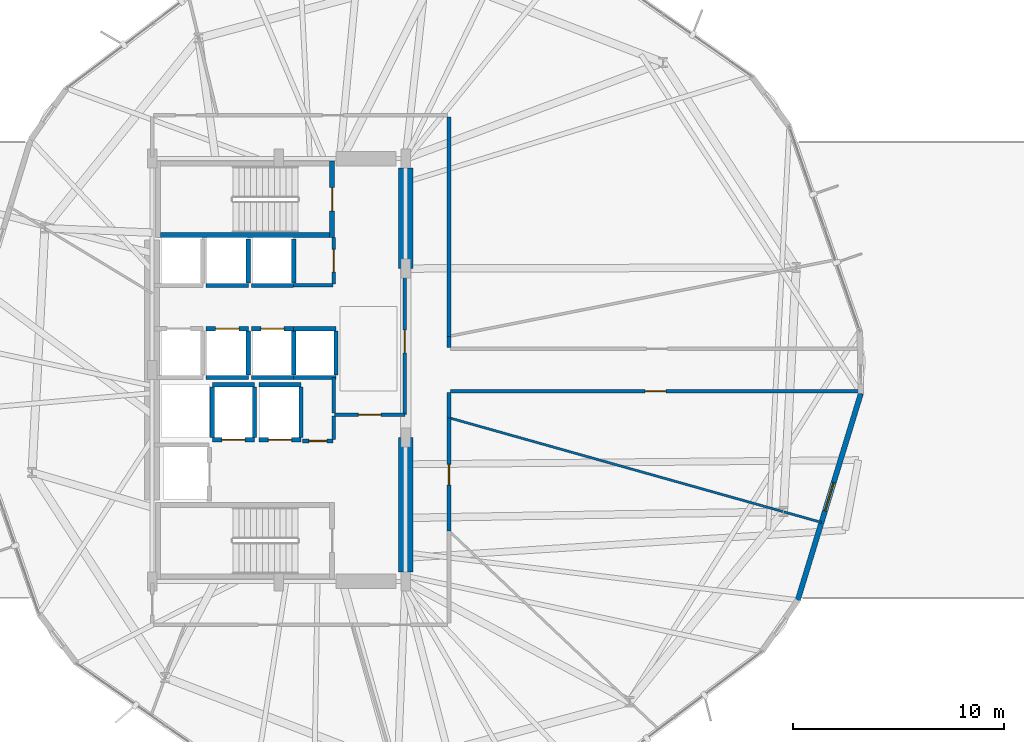
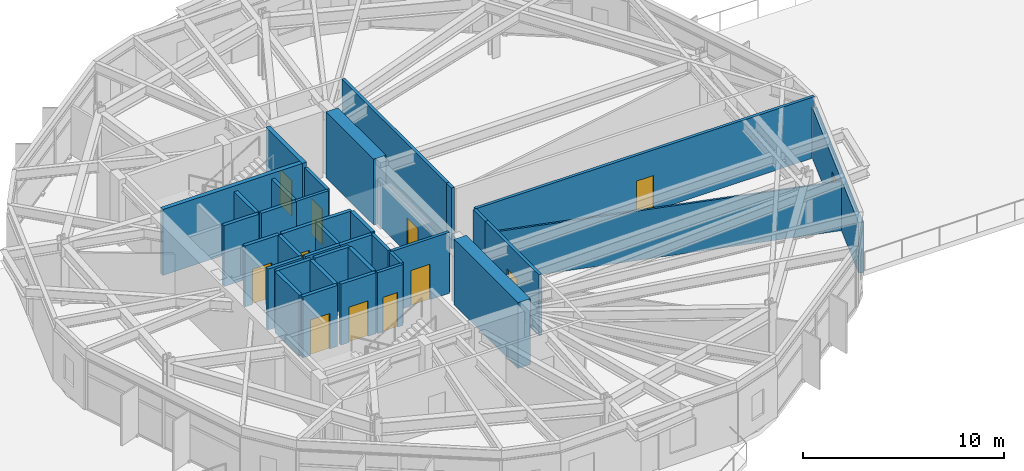
# One storey, part 18 of 23: 38 walls, 12 doors, 12 openings.
"""IFC4 building model written with IfcOpenShell, lengths in metres."""

from ifc_helpers import new_model, si_unit, direction, frame, frame_2d, origin, place, context, subcontext, project, spatial, rectangle, extrude, material, layer, layer_set, type_object, element, fill, save


model = new_model("IFC4")

# Units and contexts
model_context = context("Model", 3, precision=1e-05, world=origin(), true_north=direction((0.0, 1.0)))
body_context = subcontext(model_context, "Body", "Model", "MODEL_VIEW")
ifc_project = project(units=[si_unit("LENGTHUNIT", "METRE"), si_unit("AREAUNIT", "SQUARE_METRE"), si_unit("VOLUMEUNIT", "CUBIC_METRE"), si_unit("PLANEANGLEUNIT", "RADIAN"), si_unit("MASSUNIT", "GRAM", prefix="KILO")], contexts=[model_context])

# Site, building, storey
site_placement = place(None, origin())
site = spatial("IfcSite", under=ifc_project, at=site_placement, CompositionType="ELEMENT")
building_placement = place(site_placement, origin())
building = spatial("IfcBuilding", under=site, at=building_placement, Name="Soratama Intermodal Tower", CompositionType="ELEMENT")
storey_placement = place(building_placement, frame((0.0, 0.0, 30.60009765625)))
storey = spatial("IfcBuildingStorey", under=building, at=storey_placement, Name="L06", CompositionType="ELEMENT", Elevation=30.60009765625)

# Wall, opening, door
ifc_material_1 = material(Name="Concrete f'c 42 MPa", Category="concrete")
ifc_layer_1 = layer(ifc_material_1, 0.25)
ifc_layer_set_1 = layer_set([ifc_layer_1], Name="Concrete f'c 42 MPa")
wall_type_1 = type_object("IfcWallType", Name="EW-BAL-250", PredefinedType="SOLIDWALL", material=ifc_layer_set_1)
wall_1_placement = place(storey_placement, frame((63.153564453125, 14.108642578125, 0.0), z_axis=(0.0, 0.0, 1.0), x_axis=(0.292034213335, 0.956407872323, 0.0)))
wall_1 = element("IfcWall", 1, at=wall_1_placement, inside=storey, type_object=wall_type_1, Name="L06 Terrace Wall F10", PredefinedType="SOLIDWALL", context=body_context, shape_type="SweptSolid", body=[
    extrude(rectangle(XDim=10.230224609375, YDim=0.25, at=frame_2d((5.115234375, 0.0))), origin(), (0.0, 0.0, 1.0), 3.078857421875),
])
opening_1_placement = place(wall_1_placement, frame((4.4150390625, 0.0, 0.0)))
opening_1 = element("IfcOpeningElement", 2, at=opening_1_placement, cuts=wall_1, Name="Opening ED-3", PredefinedType="OPENING", context=body_context, shape_type="SweptSolid", body=[
    extrude(rectangle(XDim=1.39990234375, YDim=2.199951171875, at=frame_2d((0.699951171875, 1.10009765625))), frame((0.0, 0.135009765625, 0.0), z_axis=(0.0, -1.0, 0.0), x_axis=(1.0, 0.0, 0.0)), (0.0, 0.0, 1.0), 0.27001953125),
])
ifc_material_2 = material(Name="Double-glazed aluminium door", Category="aluminium")
door_type_1 = type_object("IfcDoorType", Name="DR-TERR-1400", OperationType="NOTDEFINED", PredefinedType="DOOR", material=ifc_material_2)
door_1_placement = place(opening_1_placement, origin())
door_1 = element("IfcDoor", 3, at=door_1_placement, inside=storey, type_object=door_type_1, Name="L06 Terrace Door F10", OperationType="SINGLE_SWING_RIGHT", OverallHeight=2.199951171875, OverallWidth=1.39990234375, PredefinedType="DOOR", context=body_context, shape_type="SweptSolid", body=[
    extrude(rectangle(XDim=1.39990234375, YDim=2.199951171875, at=frame_2d((0.699951171875, 1.10009765625))), frame((0.0, 0.02490234375, 0.0), z_axis=(0.0, -1.0, 0.0), x_axis=(1.0, 0.0, 0.0)), (0.0, 0.0, 1.0), 0.050048828125),
])
fill(opening_1, door_1)

ifc_material_3 = material(Name="Fire-rated gypsum stud partition", Category="concrete")
ifc_layer_2 = layer(ifc_material_3, 0.169921875)
ifc_layer_set_2 = layer_set([ifc_layer_2], Name="Fire-rated gypsum stud partition")
wall_type_2 = type_object("IfcWallType", Name="IW-PART-R170", PredefinedType="PARTITIONING", material=ifc_layer_set_2)
wall_2_placement = place(storey_placement, frame((66.156005859375, 24.0, 0.0), z_axis=(0.0, 0.0, 1.0), x_axis=(-1.0, 0.0, 0.0)))
wall_2 = element("IfcWall", 4, at=wall_2_placement, inside=storey, type_object=wall_type_2, Name="L06 Partition W-L06-TP002", PredefinedType="PARTITIONING", context=body_context, shape_type="SweptSolid", body=[
    extrude(rectangle(XDim=19.43603515625, YDim=0.169921875, at=frame_2d((9.718017578125, 0.0))), origin(), (0.0, 0.0, 1.0), 3.699951171875),
])
opening_2_placement = place(wall_2_placement, frame((9.242919921875, 0.0, 0.0)))
opening_2 = element("IfcOpeningElement", 5, at=opening_2_placement, cuts=wall_2, Name="Opening ID-5", PredefinedType="OPENING", context=body_context, shape_type="SweptSolid", body=[
    extrude(rectangle(XDim=0.97998046875, YDim=2.14990234375, at=frame_2d((0.489990234375, 1.074951171875))), frame((0.0, 0.094970703125, 0.0), z_axis=(0.0, -1.0, 0.0), x_axis=(1.0, 0.0, 0.0)), (0.0, 0.0, 1.0), 0.18994140625),
])
ifc_material_4 = material(Name="Solid hardwood acoustic door", Category="wood")
door_type_2 = type_object("IfcDoorType", Name="DR-OFF-980", OperationType="NOTDEFINED", PredefinedType="DOOR", material=ifc_material_4)
door_2_placement = place(opening_2_placement, origin())
door_2 = element("IfcDoor", 6, at=door_2_placement, inside=storey, type_object=door_type_2, Name="L06 Door D-L06-TP002", OperationType="SINGLE_SWING_LEFT", OverallHeight=2.14990234375, OverallWidth=0.97998046875, PredefinedType="DOOR", context=body_context, shape_type="SweptSolid", body=[
    extrude(rectangle(XDim=0.97998046875, YDim=2.14990234375, at=frame_2d((0.489990234375, 1.074951171875))), frame((0.0, 0.02490234375, 0.0), z_axis=(0.0, -1.0, 0.0), x_axis=(1.0, 0.0, 0.0)), (0.0, 0.0, 1.0), 0.050048828125),
])
fill(opening_2, door_2)

# Wall
wall_3_placement = place(storey_placement, frame((46.64990234375, 36.97998046875, 0.0), z_axis=(0.0, 0.0, 1.0), x_axis=(0.0, -1.0, 0.0)))
element("IfcWall", 7, at=wall_3_placement, inside=storey, type_object=wall_type_2, Name="L06 Partition W-L06-TP007", PredefinedType="PARTITIONING", context=body_context, shape_type="SweptSolid", body=[
    extrude(rectangle(XDim=10.386962890625, YDim=0.169921875, at=frame_2d((5.193359375, 0.0))), origin(), (0.0, 0.0, 1.0), 3.699951171875),
])

# Wall, opening, door
wall_4_placement = place(storey_placement, frame((44.56005859375, 29.800048828125, 0.0), z_axis=(0.0, 0.0, 1.0), x_axis=(0.0, -1.0, 0.0)))
wall_4 = element("IfcWall", 8, at=wall_4_placement, inside=storey, type_object=wall_type_2, Name="L06 Partition W-L06-TP011", PredefinedType="PARTITIONING", context=body_context, shape_type="SweptSolid", body=[
    extrude(rectangle(XDim=6.91015625, YDim=0.169921875, at=frame_2d((3.455078125, 0.0))), origin(), (0.0, 0.0, 1.0), 2.739990234375),
])
opening_3_placement = place(wall_4_placement, frame((2.9150390625, 0.0, 0.0)))
opening_3 = element("IfcOpeningElement", 9, at=opening_3_placement, cuts=wall_4, Name="Opening ID-1", PredefinedType="OPENING", context=body_context, shape_type="SweptSolid", body=[
    extrude(rectangle(XDim=1.080078125, YDim=2.14990234375, at=frame_2d((0.5400390625, 1.074951171875))), frame((0.0, 0.094970703125, 0.0), z_axis=(0.0, -1.0, 0.0), x_axis=(1.0, 0.0, 0.0)), (0.0, 0.0, 1.0), 0.18994140625),
])
ifc_material_5 = material(Name="Solid hardwood acoustic door", Category="wood")
door_type_3 = type_object("IfcDoorType", Name="DR-LOB-FD60", OperationType="NOTDEFINED", PredefinedType="DOOR", material=ifc_material_5)
door_3_placement = place(opening_3_placement, origin())
door_3 = element("IfcDoor", 10, at=door_3_placement, inside=storey, type_object=door_type_3, Name="L06 Door D-L06-TP005", OperationType="SINGLE_SWING_RIGHT", OverallHeight=2.14990234375, OverallWidth=1.080078125, PredefinedType="DOOR", context=body_context, shape_type="SweptSolid", body=[
    extrude(rectangle(XDim=1.080078125, YDim=2.14990234375, at=frame_2d((0.5400390625, 1.074951171875))), frame((0.0, 0.02490234375, 0.0), z_axis=(0.0, -1.0, 0.0), x_axis=(1.0, 0.0, 0.0)), (0.0, 0.0, 1.0), 0.050048828125),
])
fill(opening_3, door_3)

wall_5_placement = place(storey_placement, frame((46.64990234375, 22.738037109375, 0.0), z_axis=(0.0, 0.0, 1.0), x_axis=(0.0, -1.0, 0.0)))
wall_5 = element("IfcWall", 11, at=wall_5_placement, inside=storey, type_object=wall_type_2, Name="L06 Partition W-L06-TP013", PredefinedType="PARTITIONING", context=body_context, shape_type="SweptSolid", body=[
    extrude(rectangle(XDim=5.35302734375, YDim=0.169921875, at=frame_2d((2.676513671875, 0.0))), origin(), (0.0, 0.0, 1.0), 3.699951171875),
])
opening_4_placement = place(wall_5_placement, frame((2.200927734375, 0.0, 0.0)))
opening_4 = element("IfcOpeningElement", 12, at=opening_4_placement, cuts=wall_5, Name="Opening ID-5", PredefinedType="OPENING", context=body_context, shape_type="SweptSolid", body=[
    extrude(rectangle(XDim=0.97998046875, YDim=2.14990234375, at=frame_2d((0.489990234375, 1.074951171875))), frame((0.0, 0.094970703125, 0.0), z_axis=(0.0, -1.0, 0.0), x_axis=(1.0, 0.0, 0.0)), (0.0, 0.0, 1.0), 0.18994140625),
])
door_4_placement = place(opening_4_placement, origin())
door_4 = element("IfcDoor", 13, at=door_4_placement, inside=storey, type_object=door_type_2, Name="L06 Door D-L06-TP006", OperationType="SINGLE_SWING_LEFT", OverallHeight=2.14990234375, OverallWidth=0.97998046875, PredefinedType="DOOR", context=body_context, shape_type="SweptSolid", body=[
    extrude(rectangle(XDim=0.97998046875, YDim=2.14990234375, at=frame_2d((0.489990234375, 1.074951171875))), frame((0.0, 0.02490234375, 0.0), z_axis=(0.0, -1.0, 0.0), x_axis=(1.0, 0.0, 0.0)), (0.0, 0.0, 1.0), 0.050048828125),
])
fill(opening_4, door_4)

wall_6_placement = place(storey_placement, frame((41.239990234375, 22.889892578125, 0.0), z_axis=(0.0, 0.0, 1.0), x_axis=(1.0, 0.0, 0.0)))
wall_6 = element("IfcWall", 14, at=wall_6_placement, inside=storey, type_object=wall_type_2, Name="L06 Partition W-L06-TP017", PredefinedType="PARTITIONING", context=body_context, shape_type="SweptSolid", body=[
    extrude(rectangle(XDim=3.320068359375, YDim=0.169921875, at=frame_2d((1.66015625, 0.0))), origin(), (0.0, 0.0, 1.0), 3.699951171875),
])
opening_5_placement = place(wall_6_placement, frame((1.1201171875, 0.0, 0.0)))
opening_5 = element("IfcOpeningElement", 15, at=opening_5_placement, cuts=wall_6, Name="Opening ID-0", PredefinedType="OPENING", context=body_context, shape_type="SweptSolid", body=[
    extrude(rectangle(XDim=1.080078125, YDim=2.14990234375, at=frame_2d((0.5400390625, 1.074951171875))), frame((0.0, 0.094970703125, 0.0), z_axis=(0.0, -1.0, 0.0), x_axis=(1.0, 0.0, 0.0)), (0.0, 0.0, 1.0), 0.18994140625),
])
ifc_material_6 = material(Name="Solid hardwood acoustic door", Category="wood")
door_type_4 = type_object("IfcDoorType", Name="DR-LOB-FD90", OperationType="NOTDEFINED", PredefinedType="DOOR", material=ifc_material_6)
door_5_placement = place(opening_5_placement, origin())
door_5 = element("IfcDoor", 16, at=door_5_placement, inside=storey, type_object=door_type_4, Name="L06 Door D-L06-TP008", OperationType="SINGLE_SWING_LEFT", OverallHeight=2.14990234375, OverallWidth=1.080078125, PredefinedType="DOOR", context=body_context, shape_type="SweptSolid", body=[
    extrude(rectangle(XDim=1.080078125, YDim=2.14990234375, at=frame_2d((0.5400390625, 1.074951171875))), frame((0.0, 0.02490234375, 0.0), z_axis=(0.0, -1.0, 0.0), x_axis=(1.0, 0.0, 0.0)), (0.0, 0.0, 1.0), 0.050048828125),
])
fill(opening_5, door_5)

wall_7_placement = place(storey_placement, frame((41.199951171875, 29.070068359375, 0.0), z_axis=(0.0, 0.0, 1.0), x_axis=(0.0, 1.0, 0.0)))
wall_7 = element("IfcWall", 17, at=wall_7_placement, inside=storey, type_object=wall_type_2, Name="L06 Partition W-L06-TP019", PredefinedType="PARTITIONING", context=body_context, shape_type="SweptSolid", body=[
    extrude(rectangle(XDim=2.18994140625, YDim=0.169921875, at=frame_2d((1.094970703125, 0.0))), origin(), (0.0, 0.0, 1.0), 3.699951171875),
])
opening_6_placement = place(wall_7_placement, frame((0.554931640625, 0.0, 0.0)))
opening_6 = element("IfcOpeningElement", 18, at=opening_6_placement, cuts=wall_7, Name="Opening ID-1", PredefinedType="OPENING", context=body_context, shape_type="SweptSolid", body=[
    extrude(rectangle(XDim=1.080078125, YDim=2.14990234375, at=frame_2d((0.5400390625, 1.074951171875))), frame((0.0, 0.094970703125, 0.0), z_axis=(0.0, -1.0, 0.0), x_axis=(1.0, 0.0, 0.0)), (0.0, 0.0, 1.0), 0.18994140625),
])
door_6_placement = place(opening_6_placement, origin())
door_6 = element("IfcDoor", 19, at=door_6_placement, inside=storey, type_object=door_type_3, Name="L06 Door D-L06-TP010", OperationType="SINGLE_SWING_LEFT", OverallHeight=2.14990234375, OverallWidth=1.080078125, PredefinedType="DOOR", context=body_context, shape_type="SweptSolid", body=[
    extrude(rectangle(XDim=1.080078125, YDim=2.14990234375, at=frame_2d((0.5400390625, 1.074951171875))), frame((0.0, 0.02490234375, 0.0), z_axis=(0.0, -1.0, 0.0), x_axis=(1.0, 0.0, 0.0)), (0.0, 0.0, 1.0), 0.050048828125),
])
fill(opening_6, door_6)

# Walls
wall_8_placement = place(storey_placement, frame((39.300048828125, 29.010009765625, 0.0), z_axis=(0.0, 0.0, 1.0), x_axis=(1.0, 0.0, 0.0)))
element("IfcWall", 20, at=wall_8_placement, inside=storey, type_object=wall_type_2, Name="L06 Partition W-L06-TP022", PredefinedType="PARTITIONING", context=body_context, shape_type="SweptSolid", body=[
    extrude(rectangle(XDim=1.85986328125, YDim=0.169921875, at=frame_2d((0.929931640625, 0.0))), origin(), (0.0, 0.0, 1.0), 3.699951171875),
])
wall_9_placement = place(storey_placement, frame((41.199951171875, 22.9599609375, 0.0), z_axis=(0.0, 0.0, 1.0), x_axis=(0.0, 1.0, 0.0)))
element("IfcWall", 21, at=wall_9_placement, inside=storey, type_object=wall_type_2, Name="L06 Partition W-L06-TP023", PredefinedType="PARTITIONING", context=body_context, shape_type="SweptSolid", body=[
    extrude(rectangle(XDim=1.68994140625, YDim=0.169921875, at=frame_2d((0.844970703125, 0.0))), origin(), (0.0, 0.0, 1.0), 3.699951171875),
])

# Wall, opening, door
wall_10_placement = place(storey_placement, frame((39.719970703125, 21.639892578125, 0.0), z_axis=(0.0, 0.0, 1.0), x_axis=(1.0, 0.0, 0.0)))
wall_10 = element("IfcWall", 22, at=wall_10_placement, inside=storey, type_object=wall_type_2, Name="L06 Partition W-L06-TP025", PredefinedType="PARTITIONING", context=body_context, shape_type="SweptSolid", body=[
    extrude(rectangle(XDim=1.43994140625, YDim=0.169921875, at=frame_2d((0.719970703125, 0.0))), origin(), (0.0, 0.0, 1.0), 3.699951171875),
])
opening_7_placement = place(wall_10_placement, frame((0.294921875, 0.0, 0.0)))
opening_7 = element("IfcOpeningElement", 23, at=opening_7_placement, cuts=wall_10, Name="Opening ID-4", PredefinedType="OPENING", context=body_context, shape_type="SweptSolid", body=[
    extrude(rectangle(XDim=0.85009765625, YDim=2.10009765625, at=frame_2d((0.425048828125, 1.050048828125))), frame((0.0, 0.094970703125, 0.0), z_axis=(0.0, -1.0, 0.0), x_axis=(1.0, 0.0, 0.0)), (0.0, 0.0, 1.0), 0.18994140625),
])
ifc_material_7 = material(Name="Solid hardwood acoustic door", Category="wood")
door_type_5 = type_object("IfcDoorType", Name="DR-BATH-850", OperationType="NOTDEFINED", PredefinedType="DOOR", material=ifc_material_7)
door_7_placement = place(opening_7_placement, origin())
door_7 = element("IfcDoor", 24, at=door_7_placement, inside=storey, type_object=door_type_5, Name="L06 Door D-L06-TP012", OperationType="SINGLE_SWING_LEFT", OverallHeight=2.10009765625, OverallWidth=0.85009765625, PredefinedType="DOOR", context=body_context, shape_type="SweptSolid", body=[
    extrude(rectangle(XDim=0.85009765625, YDim=2.10009765625, at=frame_2d((0.425048828125, 1.050048828125))), frame((0.0, 0.02490234375, 0.0), z_axis=(0.0, -1.0, 0.0), x_axis=(1.0, 0.0, 0.0)), (0.0, 0.0, 1.0), 0.050048828125),
])
fill(opening_7, door_7)

# Walls
wall_11_placement = place(storey_placement, frame((46.64990234375, 23.929931640625, 0.0), z_axis=(0.0, 0.0, 1.0), x_axis=(0.0, -1.0, 0.0)))
element("IfcWall", 25, at=wall_11_placement, inside=storey, type_object=wall_type_2, Name="L06 Partition W-L06-TP026", PredefinedType="PARTITIONING", context=body_context, shape_type="SweptSolid", body=[
    extrude(rectangle(XDim=1.19189453125, YDim=0.169921875, at=frame_2d((0.595947265625, 0.0))), origin(), (0.0, 0.0, 1.0), 3.699951171875),
])
wall_12_placement = place(storey_placement, frame((41.199951171875, 21.699951171875, 0.0), z_axis=(0.0, 0.0, 1.0), x_axis=(0.0, 1.0, 0.0)))
element("IfcWall", 26, at=wall_12_placement, inside=storey, type_object=wall_type_2, Name="L06 Partition W-L06-TP027", PredefinedType="PARTITIONING", context=body_context, shape_type="SweptSolid", body=[
    extrude(rectangle(XDim=1.1201171875, YDim=0.169921875, at=frame_2d((0.56005859375, 0.0))), origin(), (0.0, 0.0, 1.0), 3.699951171875),
])
wall_13_placement = place(storey_placement, frame((46.64990234375, 26.593017578125, 0.0), z_axis=(0.0, 0.0, 1.0), x_axis=(0.0, -1.0, 0.0)))
element("IfcWall", 27, at=wall_13_placement, inside=storey, type_object=wall_type_2, Name="L06 Partition W-L06-TP028", PredefinedType="PARTITIONING", context=body_context, shape_type="SweptSolid", body=[
    extrude(rectangle(XDim=0.52294921875, YDim=0.169921875, at=frame_2d((0.261474609375, 0.0))), origin(), (0.0, 0.0, 1.0), 3.699951171875),
])
ifc_material_8 = material(Name="Fire-rated gypsum stud partition", Category="concrete")
ifc_layer_3 = layer(ifc_material_8, 0.110107421875)
ifc_layer_set_3 = layer_set([ifc_layer_3], Name="Fire-rated gypsum stud partition")
wall_type_3 = type_object("IfcWallType", Name="IW-PART-S110", PredefinedType="PARTITIONING", material=ifc_layer_set_3)
wall_14_placement = place(storey_placement, frame((46.64990234375, 22.738037109375, 0.0), z_axis=(0.0, 0.0, 1.0), x_axis=(0.962724324988, -0.270484517259, 0.0)))
element("IfcWall", 28, at=wall_14_placement, inside=storey, type_object=wall_type_3, Name="L06 Partition W-L06-TP004", PredefinedType="PARTITIONING", context=body_context, shape_type="SweptSolid", body=[
    extrude(rectangle(XDim=18.308349609375, YDim=0.110107421875, at=frame_2d((9.154296875, 0.0))), origin(), (0.0, 0.0, 1.0), 2.994873046875),
])

# Wall, opening, door
ifc_material_9 = material(Name="Concrete f'c 42 MPa", Category="concrete")
ifc_layer_4 = layer(ifc_material_9, 0.199951171875)
ifc_layer_set_4 = layer_set([ifc_layer_4], Name="Concrete f'c 42 MPa")
wall_type_4 = type_object("IfcWallType", Name="IW-SHAFT-200", PredefinedType="SOLIDWALL", material=ifc_layer_set_4)
wall_15_placement = place(storey_placement, frame((35.449951171875, 21.699951171875, 0.0), z_axis=(0.0, 0.0, 1.0), x_axis=(1.0, 0.0, 0.0)))
wall_15 = element("IfcWall", 29, at=wall_15_placement, inside=storey, type_object=wall_type_4, Name="L06 FFL-1 Hoistway Wall S", PredefinedType="SOLIDWALL", context=body_context, shape_type="SweptSolid", body=[
    extrude(rectangle(XDim=2.0, YDim=0.199951171875, at=frame_2d((1.0, 0.0))), origin(), (0.0, 0.0, 1.0), 3.699951171875),
])
opening_8_placement = place(wall_15_placement, frame((0.449951171875, 0.0, 0.0)))
opening_8 = element("IfcOpeningElement", 30, at=opening_8_placement, cuts=wall_15, Name="Opening LD-1", PredefinedType="OPENING", context=body_context, shape_type="SweptSolid", body=[
    extrude(rectangle(XDim=1.10009765625, YDim=2.14990234375, at=frame_2d((0.550048828125, 1.074951171875))), frame((0.0, 0.10986328125, 0.0), z_axis=(0.0, -1.0, 0.0), x_axis=(1.0, 0.0, 0.0)), (0.0, 0.0, 1.0), 0.219970703125),
])
ifc_material_10 = material(Name="Steel fire door", Category="steel")
door_type_6 = type_object("IfcDoorType", Name="DR-LIFT-SLIDE", OperationType="NOTDEFINED", PredefinedType="DOOR", material=ifc_material_10)
door_8_placement = place(opening_8_placement, origin())
door_8 = element("IfcDoor", 31, at=door_8_placement, inside=storey, type_object=door_type_6, Name="L06 FFL-1 Sliding Landing Door", OperationType="SLIDING_TO_LEFT", OverallHeight=2.14990234375, OverallWidth=1.10009765625, PredefinedType="DOOR", context=body_context, shape_type="SweptSolid", body=[
    extrude(rectangle(XDim=1.10009765625, YDim=2.14990234375, at=frame_2d((0.550048828125, 1.074951171875))), frame((0.0, 0.02490234375, 0.0), z_axis=(0.0, -1.0, 0.0), x_axis=(1.0, 0.0, 0.0)), (0.0, 0.0, 1.0), 0.050048828125),
])
fill(opening_8, door_8)

# Walls
wall_16_placement = place(storey_placement, frame((35.449951171875, 24.300048828125, 0.0), z_axis=(0.0, 0.0, 1.0), x_axis=(1.0, 0.0, 0.0)))
element("IfcWall", 32, at=wall_16_placement, inside=storey, type_object=wall_type_4, Name="L06 FFL-1 Hoistway Wall N", PredefinedType="SOLIDWALL", context=body_context, shape_type="SweptSolid", body=[
    extrude(rectangle(XDim=2.0, YDim=0.199951171875, at=frame_2d((1.0, 0.0))), origin(), (0.0, 0.0, 1.0), 3.699951171875),
])
for number, where, z_axis, x_axis, name in (
    (33, (35.449951171875, 21.81005859375, 0.0), (0.0, 0.0, 1.0), (0.0, 1.0, 0.0), "L06 FFL-1 Hoistway Wall W"),
    (34, (37.449951171875, 21.81005859375, 0.0), (0.0, 0.0, 1.0), (0.0, 1.0, 0.0), "L06 FFL-1 Hoistway Wall E"),
):
    element("IfcWall", number, at=place(storey_placement, frame(where, z_axis=z_axis, x_axis=x_axis)), inside=storey, type_object=wall_type_4, Name=name, PredefinedType="SOLIDWALL", context=body_context, shape_type="SweptSolid", body=[
        extrude(rectangle(XDim=2.3798828125, YDim=0.199951171875, at=frame_2d((1.18994140625, 0.0))), origin(), (0.0, 0.0, 1.0), 3.699951171875),
    ])

# Wall, opening, door
wall_17_placement = place(storey_placement, frame((37.64990234375, 21.699951171875, 0.0), z_axis=(0.0, 0.0, 1.0), x_axis=(1.0, 0.0, 0.0)))
wall_17 = element("IfcWall", 35, at=wall_17_placement, inside=storey, type_object=wall_type_4, Name="L06 FFL-2 Hoistway Wall S", PredefinedType="SOLIDWALL", context=body_context, shape_type="SweptSolid", body=[
    extrude(rectangle(XDim=2.0, YDim=0.199951171875, at=frame_2d((1.0, 0.0))), origin(), (0.0, 0.0, 1.0), 3.699951171875),
])
opening_9_placement = place(wall_17_placement, frame((0.449951171875, 0.0, 0.0)))
opening_9 = element("IfcOpeningElement", 36, at=opening_9_placement, cuts=wall_17, Name="Opening LD-1", PredefinedType="OPENING", context=body_context, shape_type="SweptSolid", body=[
    extrude(rectangle(XDim=1.10009765625, YDim=2.14990234375, at=frame_2d((0.550048828125, 1.074951171875))), frame((0.0, 0.10986328125, 0.0), z_axis=(0.0, -1.0, 0.0), x_axis=(1.0, 0.0, 0.0)), (0.0, 0.0, 1.0), 0.219970703125),
])
door_9_placement = place(opening_9_placement, origin())
door_9 = element("IfcDoor", 37, at=door_9_placement, inside=storey, type_object=door_type_6, Name="L06 FFL-2 Sliding Landing Door", OperationType="SLIDING_TO_LEFT", OverallHeight=2.14990234375, OverallWidth=1.10009765625, PredefinedType="DOOR", context=body_context, shape_type="SweptSolid", body=[
    extrude(rectangle(XDim=1.10009765625, YDim=2.14990234375, at=frame_2d((0.550048828125, 1.074951171875))), frame((0.0, 0.02490234375, 0.0), z_axis=(0.0, -1.0, 0.0), x_axis=(1.0, 0.0, 0.0)), (0.0, 0.0, 1.0), 0.050048828125),
])
fill(opening_9, door_9)

# Walls
wall_18_placement = place(storey_placement, frame((37.64990234375, 24.300048828125, 0.0), z_axis=(0.0, 0.0, 1.0), x_axis=(1.0, 0.0, 0.0)))
element("IfcWall", 38, at=wall_18_placement, inside=storey, type_object=wall_type_4, Name="L06 FFL-2 Hoistway Wall N", PredefinedType="SOLIDWALL", context=body_context, shape_type="SweptSolid", body=[
    extrude(rectangle(XDim=2.0, YDim=0.199951171875, at=frame_2d((1.0, 0.0))), origin(), (0.0, 0.0, 1.0), 3.699951171875),
])
wall_19_placement = place(storey_placement, frame((39.64990234375, 21.81005859375, 0.0), z_axis=(0.0, 0.0, 1.0), x_axis=(0.0, 1.0, 0.0)))
element("IfcWall", 39, at=wall_19_placement, inside=storey, type_object=wall_type_4, Name="L06 FFL-2 Hoistway Wall E", PredefinedType="SOLIDWALL", context=body_context, shape_type="SweptSolid", body=[
    extrude(rectangle(XDim=2.3798828125, YDim=0.199951171875, at=frame_2d((1.18994140625, 0.0))), origin(), (0.0, 0.0, 1.0), 3.699951171875),
])
wall_20_placement = place(storey_placement, frame((35.14990234375, 24.64990234375, 0.0), z_axis=(0.0, 0.0, 1.0), x_axis=(1.0, 0.0, 0.0)))
element("IfcWall", 40, at=wall_20_placement, inside=storey, type_object=wall_type_4, Name="L06 PL-L2 Hoistway Wall S", PredefinedType="SOLIDWALL", context=body_context, shape_type="SweptSolid", body=[
    extrude(rectangle(XDim=2.0, YDim=0.199951171875, at=frame_2d((1.0, 0.0))), origin(), (0.0, 0.0, 1.0), 3.699951171875),
])

# Wall, opening, door
wall_21_placement = place(storey_placement, frame((35.14990234375, 26.949951171875, 0.0), z_axis=(0.0, 0.0, 1.0), x_axis=(1.0, 0.0, 0.0)))
wall_21 = element("IfcWall", 41, at=wall_21_placement, inside=storey, type_object=wall_type_4, Name="L06 PL-L2 Hoistway Wall N", PredefinedType="SOLIDWALL", context=body_context, shape_type="SweptSolid", body=[
    extrude(rectangle(XDim=2.0, YDim=0.199951171875, at=frame_2d((1.0, 0.0))), origin(), (0.0, 0.0, 1.0), 3.699951171875),
])
opening_10_placement = place(wall_21_placement, frame((0.449951171875, 0.0, 0.0)))
opening_10 = element("IfcOpeningElement", 42, at=opening_10_placement, cuts=wall_21, Name="Opening LD-1", PredefinedType="OPENING", context=body_context, shape_type="SweptSolid", body=[
    extrude(rectangle(XDim=1.10009765625, YDim=2.14990234375, at=frame_2d((0.550048828125, 1.074951171875))), frame((0.0, 0.10986328125, 0.0), z_axis=(0.0, -1.0, 0.0), x_axis=(1.0, 0.0, 0.0)), (0.0, 0.0, 1.0), 0.219970703125),
])
door_10_placement = place(opening_10_placement, origin())
door_10 = element("IfcDoor", 43, at=door_10_placement, inside=storey, type_object=door_type_6, Name="L06 PL-L2 Sliding Landing Door", OperationType="SLIDING_TO_LEFT", OverallHeight=2.14990234375, OverallWidth=1.10009765625, PredefinedType="DOOR", context=body_context, shape_type="SweptSolid", body=[
    extrude(rectangle(XDim=1.10009765625, YDim=2.14990234375, at=frame_2d((0.550048828125, 1.074951171875))), frame((0.0, 0.02490234375, 0.0), z_axis=(0.0, -1.0, 0.0), x_axis=(1.0, 0.0, 0.0)), (0.0, 0.0, 1.0), 0.050048828125),
])
fill(opening_10, door_10)

# Walls
wall_22_placement = place(storey_placement, frame((37.14990234375, 24.760009765625, 0.0), z_axis=(0.0, 0.0, 1.0), x_axis=(0.0, 1.0, 0.0)))
element("IfcWall", 44, at=wall_22_placement, inside=storey, type_object=wall_type_4, Name="L06 PL-L2 Hoistway Wall E", PredefinedType="SOLIDWALL", context=body_context, shape_type="SweptSolid", body=[
    extrude(rectangle(XDim=2.080078125, YDim=0.199951171875, at=frame_2d((1.0400390625, 0.0))), origin(), (0.0, 0.0, 1.0), 3.699951171875),
])
wall_23_placement = place(storey_placement, frame((37.300048828125, 24.64990234375, 0.0), z_axis=(0.0, 0.0, 1.0), x_axis=(1.0, 0.0, 0.0)))
element("IfcWall", 45, at=wall_23_placement, inside=storey, type_object=wall_type_4, Name="L06 PL-L3 Hoistway Wall S", PredefinedType="SOLIDWALL", context=body_context, shape_type="SweptSolid", body=[
    extrude(rectangle(XDim=2.0, YDim=0.199951171875, at=frame_2d((1.0, 0.0))), origin(), (0.0, 0.0, 1.0), 3.699951171875),
])

# Wall, opening, door
wall_24_placement = place(storey_placement, frame((37.300048828125, 26.949951171875, 0.0), z_axis=(0.0, 0.0, 1.0), x_axis=(1.0, 0.0, 0.0)))
wall_24 = element("IfcWall", 46, at=wall_24_placement, inside=storey, type_object=wall_type_4, Name="L06 PL-L3 Hoistway Wall N", PredefinedType="SOLIDWALL", context=body_context, shape_type="SweptSolid", body=[
    extrude(rectangle(XDim=2.0, YDim=0.199951171875, at=frame_2d((1.0, 0.0))), origin(), (0.0, 0.0, 1.0), 3.699951171875),
])
opening_11_placement = place(wall_24_placement, frame((0.449951171875, 0.0, 0.0)))
opening_11 = element("IfcOpeningElement", 47, at=opening_11_placement, cuts=wall_24, Name="Opening LD-1", PredefinedType="OPENING", context=body_context, shape_type="SweptSolid", body=[
    extrude(rectangle(XDim=1.10009765625, YDim=2.14990234375, at=frame_2d((0.550048828125, 1.074951171875))), frame((0.0, 0.10986328125, 0.0), z_axis=(0.0, -1.0, 0.0), x_axis=(1.0, 0.0, 0.0)), (0.0, 0.0, 1.0), 0.219970703125),
])
door_11_placement = place(opening_11_placement, origin())
door_11 = element("IfcDoor", 48, at=door_11_placement, inside=storey, type_object=door_type_6, Name="L06 PL-L3 Sliding Landing Door", OperationType="SLIDING_TO_LEFT", OverallHeight=2.14990234375, OverallWidth=1.10009765625, PredefinedType="DOOR", context=body_context, shape_type="SweptSolid", body=[
    extrude(rectangle(XDim=1.10009765625, YDim=2.14990234375, at=frame_2d((0.550048828125, 1.074951171875))), frame((0.0, 0.02490234375, 0.0), z_axis=(0.0, -1.0, 0.0), x_axis=(1.0, 0.0, 0.0)), (0.0, 0.0, 1.0), 0.050048828125),
])
fill(opening_11, door_11)

# Walls
wall_25_placement = place(storey_placement, frame((39.300048828125, 24.760009765625, 0.0), z_axis=(0.0, 0.0, 1.0), x_axis=(0.0, 1.0, 0.0)))
element("IfcWall", 49, at=wall_25_placement, inside=storey, type_object=wall_type_4, Name="L06 PL-L3 Hoistway Wall E", PredefinedType="SOLIDWALL", context=body_context, shape_type="SweptSolid", body=[
    extrude(rectangle(XDim=2.080078125, YDim=0.199951171875, at=frame_2d((1.0400390625, 0.0))), origin(), (0.0, 0.0, 1.0), 3.699951171875),
])
for number, where, z_axis, x_axis, name in (
    (50, (39.300048828125, 24.64990234375, 0.0), (0.0, 0.0, 1.0), (1.0, 0.0, 0.0), "L06 PL-M1 Hoistway Wall S"),
    (51, (39.300048828125, 26.949951171875, 0.0), (0.0, 0.0, 1.0), (1.0, 0.0, 0.0), "L06 PL-M1 Hoistway Wall N"),
):
    element("IfcWall", number, at=place(storey_placement, frame(where, z_axis=z_axis, x_axis=x_axis)), inside=storey, type_object=wall_type_4, Name=name, PredefinedType="SOLIDWALL", context=body_context, shape_type="SweptSolid", body=[
        extrude(rectangle(XDim=2.0, YDim=0.199951171875, at=frame_2d((1.0, 0.0))), origin(), (0.0, 0.0, 1.0), 3.699951171875),
    ])
wall_26_placement = place(storey_placement, frame((41.300048828125, 24.760009765625, 0.0), z_axis=(0.0, 0.0, 1.0), x_axis=(0.0, 1.0, 0.0)))
element("IfcWall", 52, at=wall_26_placement, inside=storey, type_object=wall_type_4, Name="L06 PL-M1 Hoistway Wall E", PredefinedType="SOLIDWALL", context=body_context, shape_type="SweptSolid", body=[
    extrude(rectangle(XDim=2.080078125, YDim=0.199951171875, at=frame_2d((1.0400390625, 0.0))), origin(), (0.0, 0.0, 1.0), 3.699951171875),
])
wall_27_placement = place(storey_placement, frame((35.14990234375, 29.0, 0.0), z_axis=(0.0, 0.0, 1.0), x_axis=(1.0, 0.0, 0.0)))
element("IfcWall", 53, at=wall_27_placement, inside=storey, type_object=wall_type_4, Name="L06 PL-H1 Hoistway Wall S", PredefinedType="SOLIDWALL", context=body_context, shape_type="SweptSolid", body=[
    extrude(rectangle(XDim=2.0, YDim=0.199951171875, at=frame_2d((1.0, 0.0))), origin(), (0.0, 0.0, 1.0), 3.699951171875),
])
wall_28_placement = place(storey_placement, frame((37.14990234375, 29.110107421875, 0.0), z_axis=(0.0, 0.0, 1.0), x_axis=(0.0, 1.0, 0.0)))
element("IfcWall", 54, at=wall_28_placement, inside=storey, type_object=wall_type_4, Name="L06 PL-H1 Hoistway Wall E", PredefinedType="SOLIDWALL", context=body_context, shape_type="SweptSolid", body=[
    extrude(rectangle(XDim=2.099853515625, YDim=0.199951171875, at=frame_2d((1.0498046875, 0.0))), origin(), (0.0, 0.0, 1.0), 3.699951171875),
])
wall_29_placement = place(storey_placement, frame((37.300048828125, 29.0, 0.0), z_axis=(0.0, 0.0, 1.0), x_axis=(1.0, 0.0, 0.0)))
element("IfcWall", 55, at=wall_29_placement, inside=storey, type_object=wall_type_4, Name="L06 PL-H2 Hoistway Wall S", PredefinedType="SOLIDWALL", context=body_context, shape_type="SweptSolid", body=[
    extrude(rectangle(XDim=2.0, YDim=0.199951171875, at=frame_2d((1.0, 0.0))), origin(), (0.0, 0.0, 1.0), 3.699951171875),
])
wall_30_placement = place(storey_placement, frame((39.300048828125, 29.110107421875, 0.0), z_axis=(0.0, 0.0, 1.0), x_axis=(0.0, 1.0, 0.0)))
element("IfcWall", 56, at=wall_30_placement, inside=storey, type_object=wall_type_4, Name="L06 PL-H2 Hoistway Wall E", PredefinedType="SOLIDWALL", context=body_context, shape_type="SweptSolid", body=[
    extrude(rectangle(XDim=2.099853515625, YDim=0.199951171875, at=frame_2d((1.0498046875, 0.0))), origin(), (0.0, 0.0, 1.0), 3.699951171875),
])
ifc_material_11 = material(Name="Concrete f'c 56 MPa", Category="concrete")
ifc_layer_5 = layer(ifc_material_11, 0.699951171875)
ifc_layer_set_5 = layer_set([ifc_layer_5], Name="Concrete f'c 56 MPa")
wall_type_5 = type_object("IfcWallType", Name="SW-CORE-700", PredefinedType="SHEAR", material=ifc_layer_set_5)
wall_31_placement = place(storey_placement, frame((44.60009765625, 15.449951171875, 0.0), z_axis=(0.0, 0.0, 1.0), x_axis=(0.0, 1.0, 0.0)))
element("IfcWall", 57, at=wall_31_placement, inside=storey, type_object=wall_type_5, Name="L06 Core Shear Wall CW-ES", PredefinedType="SHEAR", context=body_context, shape_type="SweptSolid", body=[
    extrude(rectangle(XDim=6.35009765625, YDim=0.699951171875, at=frame_2d((3.175048828125, 0.0))), origin(), (0.0, 0.0, 1.0), 4.0),
])
wall_32_placement = place(storey_placement, frame((44.60009765625, 29.800048828125, 0.0), z_axis=(0.0, 0.0, 1.0), x_axis=(0.0, 1.0, 0.0)))
element("IfcWall", 58, at=wall_32_placement, inside=storey, type_object=wall_type_5, Name="L06 Core Shear Wall CW-EN", PredefinedType="SHEAR", context=body_context, shape_type="SweptSolid", body=[
    extrude(rectangle(XDim=4.75, YDim=0.699951171875, at=frame_2d((2.375, 0.0))), origin(), (0.0, 0.0, 1.0), 4.0),
])

# Wall, opening, door
ifc_material_12 = material(Name="Concrete f'c 56 MPa", Category="concrete")
ifc_layer_6 = layer(ifc_material_12, 0.239990234375)
ifc_layer_set_6 = layer_set([ifc_layer_6], Name="Concrete f'c 56 MPa")
wall_type_6 = type_object("IfcWallType", Name="SW-STAIR-240", PredefinedType="SHEAR", material=ifc_layer_set_6)
wall_33_placement = place(storey_placement, frame((41.1201171875, 31.260009765625, 0.0), z_axis=(0.0, 0.0, 1.0), x_axis=(0.0, 1.0, 0.0)))
wall_33 = element("IfcWall", 59, at=wall_33_placement, inside=storey, type_object=wall_type_6, Name="L06 ST-2 Shaft Shear Wall E", PredefinedType="SHEAR", context=body_context, shape_type="SweptSolid", body=[
    extrude(rectangle(XDim=3.6298828125, YDim=0.239990234375, at=frame_2d((1.81494140625, 0.0))), origin(), (0.0, 0.0, 1.0), 4.0),
])
opening_12_placement = place(wall_33_placement, frame((1.2548828125, 0.0, 0.0)))
opening_12 = element("IfcOpeningElement", 60, at=opening_12_placement, cuts=wall_33, Name="Opening SD-1", PredefinedType="OPENING", context=body_context, shape_type="SweptSolid", body=[
    extrude(rectangle(XDim=1.1201171875, YDim=2.14990234375, at=frame_2d((0.56005859375, 1.074951171875))), frame((0.0, 0.1298828125, 0.0), z_axis=(0.0, -1.0, 0.0), x_axis=(1.0, 0.0, 0.0)), (0.0, 0.0, 1.0), 0.260009765625),
])
ifc_material_13 = material(Name="Steel fire door", Category="steel")
door_type_7 = type_object("IfcDoorType", Name="DR-STAIR-FD90", OperationType="NOTDEFINED", PredefinedType="DOOR", material=ifc_material_13)
door_12_placement = place(opening_12_placement, origin())
door_12 = element("IfcDoor", 61, at=door_12_placement, inside=storey, type_object=door_type_7, Name="L06 ST-2 Exit Stair Door", OperationType="SINGLE_SWING_RIGHT", OverallHeight=2.14990234375, OverallWidth=1.1201171875, PredefinedType="DOOR", context=body_context, shape_type="SweptSolid", body=[
    extrude(rectangle(XDim=1.1201171875, YDim=2.14990234375, at=frame_2d((0.56005859375, 1.074951171875))), frame((0.0, 0.02490234375, 0.0), z_axis=(0.0, -1.0, 0.0), x_axis=(1.0, 0.0, 0.0)), (0.0, 0.0, 1.0), 0.050048828125),
])
fill(opening_12, door_12)

# Wall
wall_34_placement = place(storey_placement, frame((33.0, 31.3798828125, 0.0), z_axis=(0.0, 0.0, 1.0), x_axis=(1.0, 0.0, 0.0)))
element("IfcWall", 62, at=wall_34_placement, inside=storey, type_object=wall_type_6, Name="L06 ST-2 Shaft Shear Wall S", PredefinedType="SHEAR", context=body_context, shape_type="SweptSolid", body=[
    extrude(rectangle(XDim=8.0, YDim=0.239990234375, at=frame_2d((4.0, 0.0))), origin(), (0.0, 0.0, 1.0), 4.0),
])

save(model, "model.ifc")
